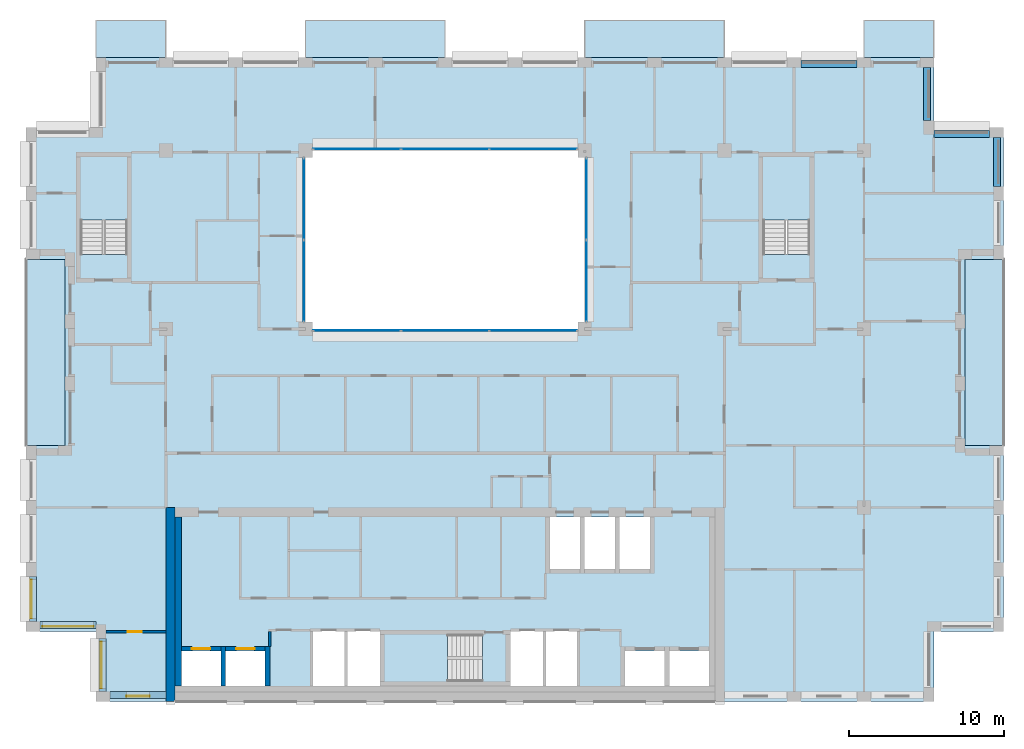
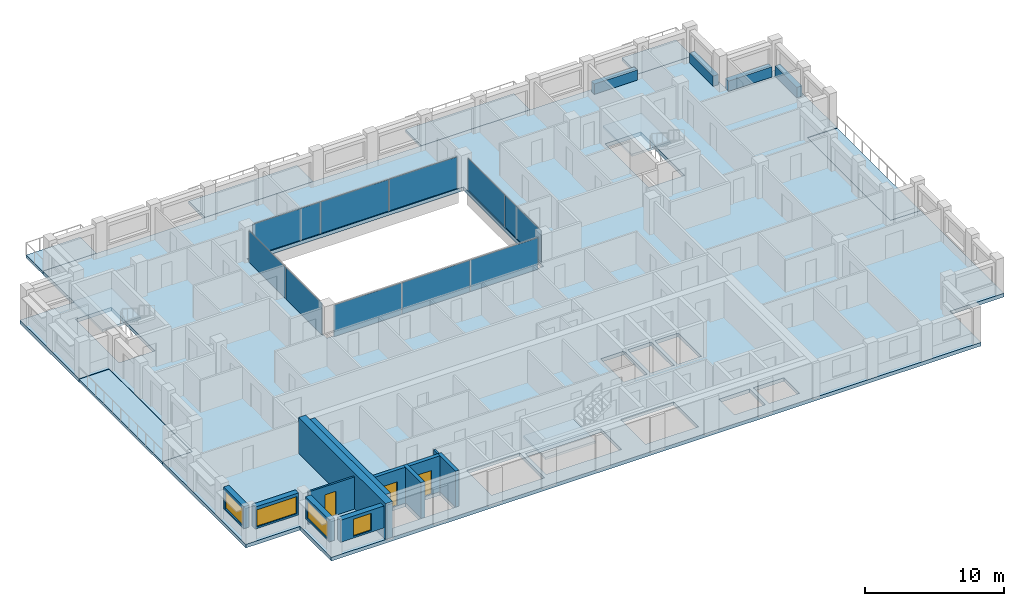
# One storey, part 7 of 15: 12 walls, 10 plates, 10 slabs, 4 beams, 4 windows, 3 doors, 7 openings, 7 elements without a shape of their own.
"""IFC4 building model written with IfcOpenShell, lengths in metres."""

from ifc_helpers import new_model, si_unit, direction, frame, frame_2d, origin, origin_2d, place, context, subcontext, project, spatial, polyline, rectangle, outline, extrude, material, layer, layer_set, material_profile, profile_set, type_object, element, fill, aggregate, save


model = new_model("IFC4")

# Units and contexts
model_context = context("Model", 3, precision=1e-05, world=origin(), true_north=direction((0.0, 1.0)))
body_context = subcontext(model_context, "Body", "Model", "MODEL_VIEW")
ifc_project = project(units=[si_unit("LENGTHUNIT", "METRE"), si_unit("AREAUNIT", "SQUARE_METRE"), si_unit("VOLUMEUNIT", "CUBIC_METRE"), si_unit("PLANEANGLEUNIT", "RADIAN"), si_unit("MASSUNIT", "GRAM", prefix="KILO")], contexts=[model_context])

# Site, building, storey
site_placement = place(None, origin())
site = spatial("IfcSite", under=ifc_project, at=site_placement, CompositionType="ELEMENT")
building_placement = place(site_placement, origin())
building = spatial("IfcBuilding", under=site, at=building_placement, Name="Brigalow Station Residences", CompositionType="ELEMENT")
storey_placement = place(building_placement, frame((0.0, 0.0, 216.89990234375)))
storey = spatial("IfcBuildingStorey", under=building, at=storey_placement, Name="L62", CompositionType="ELEMENT", Elevation=216.89990234375)

# Beams
ifc_material_1 = material(Name="Concrete C50", Category="concrete")
ifc_material_profile = material_profile(ifc_material_1, rectangle(XDim=0.449951171875, YDim=0.89990234375, at=origin_2d()), Name="RC450x900")
ifc_profile_set = profile_set([ifc_material_profile], Name="Concrete C50")
beam_type = type_object("IfcBeamType", Name="SPANDREL BEAM 450x900 C50", PredefinedType="SPANDREL", material=ifc_profile_set)
beam_1_placement = place(storey_placement, frame((71.574951171875, 33.199951171875, 0.4501953125), z_axis=(0.0, 1.0, 0.0), x_axis=(-1.0, 0.0, 0.0)))
element("IfcBeam", 1, at=beam_1_placement, inside=storey, type_object=beam_type, Name="L62/spandrel/W-L62-17", PredefinedType="SPANDREL", context=body_context, shape_type="SweptSolid", body=[
    extrude(rectangle(XDim=0.449951171875, YDim=0.89990234375, at=origin_2d()), origin(), (0.0, 0.0, 1.0), 3.150146484375),
])
beam_2_placement = place(storey_placement, frame((71.10009765625, 36.574951171875, 0.4501953125), z_axis=(-1.0, 0.0, 0.0), x_axis=(0.0, -1.0, 0.0)))
element("IfcBeam", 2, at=beam_2_placement, inside=storey, type_object=beam_type, Name="L62/spandrel/W-L62-18", PredefinedType="SPANDREL", context=body_context, shape_type="SweptSolid", body=[
    extrude(rectangle(XDim=0.449951171875, YDim=0.89990234375, at=origin_2d()), origin(), (0.0, 0.0, 1.0), 3.60009765625),
])
beam_3_placement = place(storey_placement, frame((67.074951171875, 37.449951171875, 0.4501953125), z_axis=(0.0, 1.0, 0.0), x_axis=(-1.0, 0.0, 0.0)))
element("IfcBeam", 3, at=beam_3_placement, inside=storey, type_object=beam_type, Name="L62/spandrel/W-L62-19", PredefinedType="SPANDREL", context=body_context, shape_type="SweptSolid", body=[
    extrude(rectangle(XDim=0.449951171875, YDim=0.89990234375, at=origin_2d()), origin(), (0.0, 0.0, 1.0), 3.400146484375),
])
beam_4_placement = place(storey_placement, frame((62.550048828125, 41.074951171875, 0.4501953125), z_axis=(-1.0, 0.0, 0.0), x_axis=(0.0, -1.0, 0.0)))
element("IfcBeam", 4, at=beam_4_placement, inside=storey, type_object=beam_type, Name="L62/spandrel/W-L62-21", PredefinedType="SPANDREL", context=body_context, shape_type="SweptSolid", body=[
    extrude(rectangle(XDim=0.449951171875, YDim=0.89990234375, at=origin_2d()), origin(), (0.0, 0.0, 1.0), 3.60009765625),
])

# Curtain wall, plates
ifc_material_2 = material(Name="Aluminium", Category="aluminium")
ifc_layer_1 = layer(ifc_material_2, 0.14990234375)
ifc_layer_set_1 = layer_set([ifc_layer_1], Name="ATRIUM FIRE-RATED GLAZING CURTAIN WALL")
curtain_wall_type = type_object("IfcCurtainWallType", Name="ATRIUM FIRE-RATED GLAZING CURTAIN WALL", PredefinedType="NOTDEFINED", material=ifc_layer_set_1)
curtain_wall_1_placement = place(storey_placement, origin())
curtain_wall_1 = element("IfcCurtainWall", 5, at=curtain_wall_1_placement, inside=storey, type_object=curtain_wall_type, Name="L62/cw/atrium-S", PredefinedType="NOTDEFINED")
ifc_material_3 = material(Name="Fire-resisting laminated glazing, FRL -/60/-", Category="glass")
ifc_layer_2 = layer(ifc_material_3, 0.031982421875)
ifc_layer_set_2 = layer_set([ifc_layer_2], Name="ATRIUM FIRE-RATED GLAZING PANEL 32")
plate_type = type_object("IfcPlateType", Name="ATRIUM FIRE-RATED GLAZING PANEL 32", PredefinedType="CURTAIN_PANEL", material=ifc_layer_set_2)
plate_1_placement = place(storey_placement, frame((30.31494140625, 23.89990234375, 0.0), z_axis=(0.0, 0.0, 1.0), x_axis=(1.0, 0.0, 0.0)))
plate_1 = element("IfcPlate", 6, at=plate_1_placement, type_object=plate_type, Name="L62/cw/atrium-S/P00-00", PredefinedType="CURTAIN_PANEL", context=body_context, shape_type="SweptSolid", body=[
    extrude(rectangle(XDim=5.610107421875, YDim=0.031982421875, at=origin_2d()), origin(), (0.0, 0.0, 1.0), 2.77001953125),
])
plate_2_placement = place(storey_placement, frame((36.0, 23.89990234375, 0.0), z_axis=(0.0, 0.0, 1.0), x_axis=(1.0, 0.0, 0.0)))
plate_2 = element("IfcPlate", 7, at=plate_2_placement, type_object=plate_type, Name="L62/cw/atrium-S/P01-00", PredefinedType="CURTAIN_PANEL", context=body_context, shape_type="SweptSolid", body=[
    extrude(rectangle(XDim=5.639892578125, YDim=0.031982421875, at=origin_2d()), origin(), (0.0, 0.0, 1.0), 2.77001953125),
])
plate_3_placement = place(storey_placement, frame((41.68505859375, 23.89990234375, 0.0), z_axis=(0.0, 0.0, 1.0), x_axis=(1.0, 0.0, 0.0)))
plate_3 = element("IfcPlate", 8, at=plate_3_placement, type_object=plate_type, Name="L62/cw/atrium-S/P02-00", PredefinedType="CURTAIN_PANEL", context=body_context, shape_type="SweptSolid", body=[
    extrude(rectangle(XDim=5.610107421875, YDim=0.031982421875, at=origin_2d()), origin(), (0.0, 0.0, 1.0), 2.77001953125),
])
aggregate(curtain_wall_1, [plate_1, plate_2, plate_3])

curtain_wall_2_placement = place(storey_placement, origin())
curtain_wall_2 = element("IfcCurtainWall", 9, at=curtain_wall_2_placement, inside=storey, type_object=curtain_wall_type, Name="L62/cw/atrium-E", PredefinedType="NOTDEFINED")
plate_4_placement = place(storey_placement, frame((45.10009765625, 27.114990234375, 0.0), z_axis=(0.0, 0.0, 1.0), x_axis=(0.0, 1.0, 0.0)))
plate_4 = element("IfcPlate", 10, at=plate_4_placement, type_object=plate_type, Name="L62/cw/atrium-E/P00-00", PredefinedType="CURTAIN_PANEL", context=body_context, shape_type="SweptSolid", body=[
    extrude(rectangle(XDim=5.2099609375, YDim=0.031982421875, at=origin_2d()), origin(), (0.0, 0.0, 1.0), 2.77001953125),
])
plate_5_placement = place(storey_placement, frame((45.10009765625, 32.385009765625, 0.0), z_axis=(0.0, 0.0, 1.0), x_axis=(0.0, 1.0, 0.0)))
plate_5 = element("IfcPlate", 11, at=plate_5_placement, type_object=plate_type, Name="L62/cw/atrium-E/P01-00", PredefinedType="CURTAIN_PANEL", context=body_context, shape_type="SweptSolid", body=[
    extrude(rectangle(XDim=5.2099609375, YDim=0.031982421875, at=origin_2d()), origin(), (0.0, 0.0, 1.0), 2.77001953125),
])
aggregate(curtain_wall_2, [plate_4, plate_5])

curtain_wall_3_placement = place(storey_placement, origin())
curtain_wall_3 = element("IfcCurtainWall", 12, at=curtain_wall_3_placement, inside=storey, type_object=curtain_wall_type, Name="L62/cw/atrium-N", PredefinedType="NOTDEFINED")
plate_6_placement = place(storey_placement, frame((41.68505859375, 35.60009765625, 0.0), z_axis=(0.0, 0.0, 1.0), x_axis=(-1.0, 0.0, 0.0)))
plate_6 = element("IfcPlate", 13, at=plate_6_placement, type_object=plate_type, Name="L62/cw/atrium-N/P00-00", PredefinedType="CURTAIN_PANEL", context=body_context, shape_type="SweptSolid", body=[
    extrude(rectangle(XDim=5.610107421875, YDim=0.031982421875, at=origin_2d()), origin(), (0.0, 0.0, 1.0), 2.77001953125),
])
plate_7_placement = place(storey_placement, frame((36.0, 35.60009765625, 0.0), z_axis=(0.0, 0.0, 1.0), x_axis=(-1.0, 0.0, 0.0)))
plate_7 = element("IfcPlate", 14, at=plate_7_placement, type_object=plate_type, Name="L62/cw/atrium-N/P01-00", PredefinedType="CURTAIN_PANEL", context=body_context, shape_type="SweptSolid", body=[
    extrude(rectangle(XDim=5.639892578125, YDim=0.031982421875, at=origin_2d()), origin(), (0.0, 0.0, 1.0), 2.77001953125),
])
plate_8_placement = place(storey_placement, frame((30.31494140625, 35.60009765625, 0.0), z_axis=(0.0, 0.0, 1.0), x_axis=(-1.0, 0.0, 0.0)))
plate_8 = element("IfcPlate", 15, at=plate_8_placement, type_object=plate_type, Name="L62/cw/atrium-N/P02-00", PredefinedType="CURTAIN_PANEL", context=body_context, shape_type="SweptSolid", body=[
    extrude(rectangle(XDim=5.610107421875, YDim=0.031982421875, at=origin_2d()), origin(), (0.0, 0.0, 1.0), 2.77001953125),
])
aggregate(curtain_wall_3, [plate_6, plate_7, plate_8])

curtain_wall_4_placement = place(storey_placement, origin())
curtain_wall_4 = element("IfcCurtainWall", 16, at=curtain_wall_4_placement, inside=storey, type_object=curtain_wall_type, Name="L62/cw/atrium-W", PredefinedType="NOTDEFINED")
plate_9_placement = place(storey_placement, frame((26.89990234375, 32.385009765625, 0.0), z_axis=(0.0, 0.0, 1.0), x_axis=(0.0, -1.0, 0.0)))
plate_9 = element("IfcPlate", 17, at=plate_9_placement, type_object=plate_type, Name="L62/cw/atrium-W/P00-00", PredefinedType="CURTAIN_PANEL", context=body_context, shape_type="SweptSolid", body=[
    extrude(rectangle(XDim=5.2099609375, YDim=0.031982421875, at=origin_2d()), origin(), (0.0, 0.0, 1.0), 2.77001953125),
])
plate_10_placement = place(storey_placement, frame((26.89990234375, 27.114990234375, 0.0), z_axis=(0.0, 0.0, 1.0), x_axis=(0.0, -1.0, 0.0)))
plate_10 = element("IfcPlate", 18, at=plate_10_placement, type_object=plate_type, Name="L62/cw/atrium-W/P01-00", PredefinedType="CURTAIN_PANEL", context=body_context, shape_type="SweptSolid", body=[
    extrude(rectangle(XDim=5.2099609375, YDim=0.031982421875, at=origin_2d()), origin(), (0.0, 0.0, 1.0), 2.77001953125),
])
aggregate(curtain_wall_4, [plate_9, plate_10])

# Slabs
ifc_material_4 = material(Name="Concrete C50 precast", Category="concrete")
ifc_layer_3 = layer(ifc_material_4, 0.25)
ifc_layer_set_3 = layer_set([ifc_layer_3], Name="BALCONY SLAB 250")
slab_type_1 = type_object("IfcSlabType", Name="BALCONY SLAB 250", PredefinedType="USERDEFINED", material=ifc_layer_set_3)
slab_1_placement = place(storey_placement, frame((0.0, 0.0, -0.289794921875)))
element("IfcSlab", 19, at=slab_1_placement, inside=storey, type_object=slab_type_1, Name="L62/balcony/1", ObjectType="BALCONY", PredefinedType="USERDEFINED", context=body_context, shape_type="SweptSolid", body=[
    extrude(outline(polyline([(69.5, 16.5), (72.0, 16.5), (72.0, 28.5), (69.5, 28.5), (69.5, 16.5)])), origin(), (0.0, 0.0, 1.0), 0.25),
])
slab_2_placement = place(storey_placement, frame((0.0, 0.0, -0.289794921875)))
element("IfcSlab", 20, at=slab_2_placement, inside=storey, type_object=slab_type_1, Name="L62/balcony/2", ObjectType="BALCONY", PredefinedType="USERDEFINED", context=body_context, shape_type="SweptSolid", body=[
    extrude(outline(polyline([(67.5, 41.5), (67.5, 43.89990234375), (63.0, 43.89990234375), (63.0, 41.5), (67.5, 41.5)])), origin(), (0.0, 0.0, 1.0), 0.25),
])
slab_3_placement = place(storey_placement, frame((0.0, 0.0, -0.289794921875)))
element("IfcSlab", 21, at=slab_3_placement, inside=storey, type_object=slab_type_1, Name="L62/balcony/3", ObjectType="BALCONY", PredefinedType="USERDEFINED", context=body_context, shape_type="SweptSolid", body=[
    extrude(outline(polyline([(54.0, 41.5), (54.0, 43.89990234375), (45.0, 43.89990234375), (45.0, 41.5), (54.0, 41.5)])), origin(), (0.0, 0.0, 1.0), 0.25),
])
slab_4_placement = place(storey_placement, frame((0.0, 0.0, -0.289794921875)))
element("IfcSlab", 22, at=slab_4_placement, inside=storey, type_object=slab_type_1, Name="L62/balcony/4", ObjectType="BALCONY", PredefinedType="USERDEFINED", context=body_context, shape_type="SweptSolid", body=[
    extrude(outline(polyline([(36.0, 41.5), (36.0, 43.89990234375), (27.0, 43.89990234375), (27.0, 41.5), (36.0, 41.5)])), origin(), (0.0, 0.0, 1.0), 0.25),
])
slab_5_placement = place(storey_placement, frame((0.0, 0.0, -0.289794921875)))
element("IfcSlab", 23, at=slab_5_placement, inside=storey, type_object=slab_type_1, Name="L62/balcony/5", ObjectType="BALCONY", PredefinedType="USERDEFINED", context=body_context, shape_type="SweptSolid", body=[
    extrude(outline(polyline([(18.0, 41.5), (18.0, 43.89990234375), (13.5, 43.89990234375), (13.5, 41.5), (18.0, 41.5)])), origin(), (0.0, 0.0, 1.0), 0.25),
])
slab_6_placement = place(storey_placement, frame((0.0, 0.0, -0.289794921875)))
element("IfcSlab", 24, at=slab_6_placement, inside=storey, type_object=slab_type_1, Name="L62/balcony/6", ObjectType="BALCONY", PredefinedType="USERDEFINED", context=body_context, shape_type="SweptSolid", body=[
    extrude(outline(polyline([(11.5, 28.5), (9.0, 28.5), (9.0, 16.5), (11.5, 16.5), (11.5, 28.5)])), origin(), (0.0, 0.0, 1.0), 0.25),
])
ifc_material_5 = material(Name="Concrete C50", Category="concrete")
ifc_layer_4 = layer(ifc_material_5, 0.320068359375)
ifc_layer_set_4 = layer_set([ifc_layer_4], Name="POST-TENSIONED FLAT PLATE 320 C50")
slab_type_2 = type_object("IfcSlabType", Name="POST-TENSIONED FLAT PLATE 320 C50", PredefinedType="FLOOR", material=ifc_layer_set_4)
slab_7_placement = place(storey_placement, frame((0.0, 0.0, -0.31982421875)))
element("IfcSlab", 25, at=slab_7_placement, inside=storey, type_object=slab_type_2, Name="FLOOR SLAB L62", PredefinedType="FLOOR", context=body_context, shape_type="SweptSolid", body=[
    extrude(outline(polyline([(13.5, 0.0), (67.5, 0.0), (67.5, 4.5), (72.0, 4.5), (72.0, 16.5), (69.5, 16.5), (69.5, 28.5), (72.0, 28.5), (72.0, 37.0), (67.5, 37.0), (67.5, 41.5), (13.5, 41.5), (13.5, 37.0), (9.0, 37.0), (9.0, 28.5), (11.5, 28.5), (11.5, 16.5), (9.0, 16.5), (9.0, 4.5), (13.5, 4.5), (13.5, 0.0)]), holes=[polyline([(12.5048828125, 35.094970703125), (15.4951171875, 35.094970703125), (15.4951171875, 28.804931640625), (12.5048828125, 28.804931640625), (12.5048828125, 35.094970703125)]), polyline([(19.0, 1.0), (19.0, 3.25), (21.550048828125, 3.25), (21.550048828125, 1.0), (19.0, 1.0)]), polyline([(21.85009765625, 3.25), (24.39990234375, 3.25), (24.39990234375, 1.0), (21.85009765625, 1.0), (21.85009765625, 3.25)]), polyline([(27.0, 35.5), (45.0, 35.5), (45.0, 24.0), (27.0, 24.0), (27.0, 35.5)]), polyline([(29.60009765625, 4.60009765625), (31.800048828125, 4.60009765625), (31.800048828125, 1.0), (29.60009765625, 1.0), (27.39990234375, 1.0), (27.39990234375, 4.60009765625), (29.60009765625, 4.60009765625)]), polyline([(32.10498046875, 4.294921875), (38.39501953125, 4.294921875), (38.39501953125, 1.304931640625), (32.10498046875, 1.304931640625), (32.10498046875, 4.294921875)]), polyline([(40.199951171875, 4.60009765625), (42.39990234375, 4.60009765625), (44.60009765625, 4.60009765625), (44.60009765625, 1.0), (42.39990234375, 1.0), (40.199951171875, 1.0), (40.199951171875, 4.60009765625)]), polyline([(42.75, 11.89990234375), (44.699951171875, 11.89990234375), (44.699951171875, 8.550048828125), (42.75, 8.550048828125), (42.75, 11.89990234375)]), polyline([(45.0, 11.89990234375), (46.949951171875, 11.89990234375), (46.949951171875, 8.550048828125), (45.0, 8.550048828125), (45.0, 11.89990234375)]), polyline([(47.25, 11.89990234375), (49.199951171875, 11.89990234375), (49.199951171875, 8.550048828125), (47.25, 8.550048828125), (47.25, 11.89990234375)]), polyline([(47.60009765625, 3.25), (50.14990234375, 3.25), (50.14990234375, 1.0), (47.60009765625, 1.0), (47.60009765625, 3.25)]), polyline([(50.449951171875, 3.25), (53.0, 3.25), (53.0, 1.0), (50.449951171875, 1.0), (50.449951171875, 3.25)]), polyline([(56.5048828125, 35.094970703125), (59.4951171875, 35.094970703125), (59.4951171875, 28.804931640625), (56.5048828125, 28.804931640625), (56.5048828125, 35.094970703125)])]), origin(), (0.0, 0.0, 1.0), 0.31982421875),
])

# Stair, slab
ifc_material_6 = material(Name="Concrete C50", Category="concrete")
stair_type = type_object("IfcStairType", Name="EXIT STAIR 1400 2 FLIGHT", PredefinedType="HALF_TURN_STAIR", material=ifc_material_6)
stair_1_placement = place(storey_placement, origin())
stair_1 = element("IfcStair", 26, at=stair_1_placement, inside=storey, type_object=stair_type, Name="EXIT STAIR S2 L62", PredefinedType="HALF_TURN_STAIR")
ifc_material_7 = material(Name="Concrete C50", Category="concrete")
ifc_layer_5 = layer(ifc_material_7, 0.199951171875)
ifc_layer_set_5 = layer_set([ifc_layer_5], Name="STAIR LANDING 200")
slab_type_3 = type_object("IfcSlabType", Name="STAIR LANDING 200", PredefinedType="LANDING", material=ifc_layer_set_5)
slab_8_placement = place(storey_placement, frame((0.0, 0.0, 1.375)))
slab_8 = element("IfcSlab", 27, at=slab_8_placement, type_object=slab_type_3, Name="ST-2 landing 1", PredefinedType="LANDING", context=body_context, shape_type="SweptSolid", body=[
    extrude(outline(polyline([(32.0, 1.199951171875), (36.159912109375, 1.199951171875), (36.159912109375, 4.39990234375), (32.0, 4.39990234375), (32.0, 1.199951171875)])), origin(), (0.0, 0.0, 1.0), 0.2001953125),
])
aggregate(stair_1, [slab_8])

stair_2_placement = place(storey_placement, origin())
stair_2 = element("IfcStair", 28, at=stair_2_placement, inside=storey, type_object=stair_type, Name="EXIT STAIR S1 L62", PredefinedType="HALF_TURN_STAIR")
slab_9_placement = place(storey_placement, frame((0.0, 0.0, 1.375)))
slab_9 = element("IfcSlab", 29, at=slab_9_placement, type_object=slab_type_3, Name="ST-1 landing 1", PredefinedType="LANDING", context=body_context, shape_type="SweptSolid", body=[
    extrude(outline(polyline([(12.39990234375, 31.0400390625), (15.60009765625, 31.0400390625), (15.60009765625, 35.199951171875), (12.39990234375, 35.199951171875), (12.39990234375, 31.0400390625)])), origin(), (0.0, 0.0, 1.0), 0.2001953125),
])
aggregate(stair_2, [slab_9])

stair_3_placement = place(storey_placement, origin())
stair_3 = element("IfcStair", 30, at=stair_3_placement, inside=storey, type_object=stair_type, Name="EXIT STAIR S3 L62", PredefinedType="HALF_TURN_STAIR")
slab_10_placement = place(storey_placement, frame((0.0, 0.0, 1.375)))
slab_10 = element("IfcSlab", 31, at=slab_10_placement, type_object=slab_type_3, Name="ST-3 landing 1", PredefinedType="LANDING", context=body_context, shape_type="SweptSolid", body=[
    extrude(outline(polyline([(56.39990234375, 31.0400390625), (59.60009765625, 31.0400390625), (59.60009765625, 35.199951171875), (56.39990234375, 35.199951171875), (56.39990234375, 31.0400390625)])), origin(), (0.0, 0.0, 1.0), 0.2001953125),
])
aggregate(stair_3, [slab_10])

# Wall, opening, window
ifc_material_8 = material(Name="Clay brick masonry", Category="masonry")
ifc_layer_6 = layer(ifc_material_8, 0.449951171875)
ifc_layer_set_6 = layer_set([ifc_layer_6], Name="BRICK INFILL WALL 450")
wall_type_1 = type_object("IfcWallType", Name="BRICK INFILL WALL 450", PredefinedType="SOLIDWALL", material=ifc_layer_set_6)
wall_1_placement = place(storey_placement, frame((14.39990234375, 0.425048828125, 0.900146484375), z_axis=(0.0, 0.0, 1.0), x_axis=(1.0, 0.0, 0.0)))
wall_1 = element("IfcWall", 32, at=wall_1_placement, inside=storey, type_object=wall_type_1, Name="L62/ewall/W-L62-1", PredefinedType="SOLIDWALL", context=body_context, shape_type="SweptSolid", body=[
    extrude(rectangle(XDim=3.60009765625, YDim=0.449951171875, at=frame_2d((1.800048828125, 0.0))), origin(), (0.0, 0.0, 1.0), 1.929931640625),
])
opening_1_placement = place(wall_1_placement, frame((1.050048828125, 0.0, 0.14990234375)))
opening_1 = element("IfcOpeningElement", 33, at=opening_1_placement, cuts=wall_1, Name="Opening WT-1", PredefinedType="OPENING", context=body_context, shape_type="SweptSolid", body=[
    extrude(rectangle(XDim=1.5, YDim=1.5, at=frame_2d((0.75, 0.75))), frame((0.0, 0.23486328125, 0.0), z_axis=(0.0, -1.0, 0.0), x_axis=(1.0, 0.0, 0.0)), (0.0, 0.0, 1.0), 0.469970703125),
])
ifc_material_9 = material(Name="Anodised aluminium frame with double glazing", Category="aluminium")
window_type_1 = type_object("IfcWindowType", Name="WINDOW 1500x1500", PartitioningType="SINGLE_PANEL", PredefinedType="WINDOW", material=ifc_material_9)
window_1_placement = place(opening_1_placement, origin())
window_1 = element("IfcWindow", 34, at=window_1_placement, inside=storey, type_object=window_type_1, Name="L62/window/W-L62-1", OverallHeight=1.5, OverallWidth=1.5, PartitioningType="SINGLE_PANEL", PredefinedType="WINDOW", context=body_context, shape_type="SweptSolid", body=[
    extrude(rectangle(XDim=1.5, YDim=1.5, at=frame_2d((0.75, 0.75))), frame((0.0, -0.06494140625, 0.0), z_axis=(0.0, -1.0, 0.0), x_axis=(1.0, 0.0, 0.0)), (0.0, 0.0, 1.0), 0.06005859375),
])
fill(opening_1, window_1)

wall_2_placement = place(storey_placement, frame((9.425048828125, 8.050048828125, 0.900146484375), z_axis=(0.0, 0.0, 1.0), x_axis=(0.0, -1.0, 0.0)))
wall_2 = element("IfcWall", 35, at=wall_2_placement, inside=storey, type_object=wall_type_1, Name="L62/ewall/W-L62-43", PredefinedType="SOLIDWALL", context=body_context, shape_type="SweptSolid", body=[
    extrude(rectangle(XDim=2.900146484375, YDim=0.449951171875, at=frame_2d((1.4501953125, 0.0))), origin(), (0.0, 0.0, 1.0), 1.929931640625),
])
opening_2_placement = place(wall_2_placement, frame((0.199951171875, 0.0, 0.14990234375)))
opening_2 = element("IfcOpeningElement", 36, at=opening_2_placement, cuts=wall_2, Name="Opening WT-5", PredefinedType="OPENING", context=body_context, shape_type="SweptSolid", body=[
    extrude(rectangle(XDim=2.5, YDim=1.5, at=frame_2d((1.25, 0.75))), frame((0.0, 0.23486328125, 0.0), z_axis=(0.0, -1.0, 0.0), x_axis=(1.0, 0.0, 0.0)), (0.0, 0.0, 1.0), 0.469970703125),
])
ifc_material_10 = material(Name="Anodised aluminium frame with double glazing", Category="aluminium")
window_type_2 = type_object("IfcWindowType", Name="WINDOW 2500x1500", PartitioningType="SINGLE_PANEL", PredefinedType="WINDOW", material=ifc_material_10)
window_2_placement = place(opening_2_placement, origin())
window_2 = element("IfcWindow", 37, at=window_2_placement, inside=storey, type_object=window_type_2, Name="L62/window/W-L62-43", OverallHeight=1.5, OverallWidth=2.5, PartitioningType="SINGLE_PANEL", PredefinedType="WINDOW", context=body_context, shape_type="SweptSolid", body=[
    extrude(rectangle(XDim=2.5, YDim=1.5, at=frame_2d((1.25, 0.75))), frame((0.0, -0.06494140625, 0.0), z_axis=(0.0, -1.0, 0.0), x_axis=(1.0, 0.0, 0.0)), (0.0, 0.0, 1.0), 0.06005859375),
])
fill(opening_2, window_2)

wall_3_placement = place(storey_placement, frame((9.89990234375, 4.925048828125, 0.900146484375), z_axis=(0.0, 0.0, 1.0), x_axis=(1.0, 0.0, 0.0)))
wall_3 = element("IfcWall", 38, at=wall_3_placement, inside=storey, type_object=wall_type_1, Name="L62/ewall/W-L62-44", PredefinedType="SOLIDWALL", context=body_context, shape_type="SweptSolid", body=[
    extrude(rectangle(XDim=3.60009765625, YDim=0.449951171875, at=frame_2d((1.800048828125, 0.0))), origin(), (0.0, 0.0, 1.0), 1.929931640625),
])
opening_3_placement = place(wall_3_placement, frame((0.14990234375, 0.0, 0.14990234375)))
opening_3 = element("IfcOpeningElement", 39, at=opening_3_placement, cuts=wall_3, Name="Opening WT-10", PredefinedType="OPENING", context=body_context, shape_type="SweptSolid", body=[
    extrude(rectangle(XDim=3.300048828125, YDim=1.5, at=frame_2d((1.64990234375, 0.75))), frame((0.0, 0.23486328125, 0.0), z_axis=(0.0, -1.0, 0.0), x_axis=(1.0, 0.0, 0.0)), (0.0, 0.0, 1.0), 0.469970703125),
])
ifc_material_11 = material(Name="Anodised aluminium frame with double glazing", Category="aluminium")
window_type_3 = type_object("IfcWindowType", Name="WINDOW 3300x1500", PartitioningType="SINGLE_PANEL", PredefinedType="WINDOW", material=ifc_material_11)
window_3_placement = place(opening_3_placement, origin())
window_3 = element("IfcWindow", 40, at=window_3_placement, inside=storey, type_object=window_type_3, Name="L62/window/W-L62-44", OverallHeight=1.5, OverallWidth=3.300048828125, PartitioningType="SINGLE_PANEL", PredefinedType="WINDOW", context=body_context, shape_type="SweptSolid", body=[
    extrude(rectangle(XDim=3.300048828125, YDim=1.5, at=frame_2d((1.64990234375, 0.75))), frame((0.0, -0.06494140625, 0.0), z_axis=(0.0, -1.0, 0.0), x_axis=(1.0, 0.0, 0.0)), (0.0, 0.0, 1.0), 0.06005859375),
])
fill(opening_3, window_3)

wall_4_placement = place(storey_placement, frame((13.925048828125, 4.050048828125, 0.900146484375), z_axis=(0.0, 0.0, 1.0), x_axis=(0.0, -1.0, 0.0)))
wall_4 = element("IfcWall", 41, at=wall_4_placement, inside=storey, type_object=wall_type_1, Name="L62/ewall/W-L62-45", PredefinedType="SOLIDWALL", context=body_context, shape_type="SweptSolid", body=[
    extrude(rectangle(XDim=3.400146484375, YDim=0.449951171875, at=frame_2d((1.7001953125, 0.0))), origin(), (0.0, 0.0, 1.0), 1.929931640625),
])
opening_4_placement = place(wall_4_placement, frame((0.199951171875, 0.0, 0.14990234375)))
opening_4 = element("IfcOpeningElement", 42, at=opening_4_placement, cuts=wall_4, Name="Opening WT-2", PredefinedType="OPENING", context=body_context, shape_type="SweptSolid", body=[
    extrude(rectangle(XDim=3.0, YDim=1.5, at=frame_2d((1.5, 0.75))), frame((0.0, 0.23486328125, 0.0), z_axis=(0.0, -1.0, 0.0), x_axis=(1.0, 0.0, 0.0)), (0.0, 0.0, 1.0), 0.469970703125),
])
ifc_material_12 = material(Name="Anodised aluminium frame with double glazing", Category="aluminium")
window_type_4 = type_object("IfcWindowType", Name="WINDOW 3000x1500", PartitioningType="SINGLE_PANEL", PredefinedType="WINDOW", material=ifc_material_12)
window_4_placement = place(opening_4_placement, origin())
window_4 = element("IfcWindow", 43, at=window_4_placement, inside=storey, type_object=window_type_4, Name="L62/window/W-L62-45", OverallHeight=1.5, OverallWidth=3.0, PartitioningType="SINGLE_PANEL", PredefinedType="WINDOW", context=body_context, shape_type="SweptSolid", body=[
    extrude(rectangle(XDim=3.0, YDim=1.5, at=frame_2d((1.5, 0.75))), frame((0.0, -0.06494140625, 0.0), z_axis=(0.0, -1.0, 0.0), x_axis=(1.0, 0.0, 0.0)), (0.0, 0.0, 1.0), 0.06005859375),
])
fill(opening_4, window_4)

# Wall, opening, door
ifc_material_13 = material(Name="Concrete C50", Category="concrete")
ifc_layer_7 = layer(ifc_material_13, 0.300048828125)
ifc_layer_set_7 = layer_set([ifc_layer_7], Name="CORE SHEAR WALL 300 C50")
wall_type_2 = type_object("IfcWallType", Name="CORE SHEAR WALL 300 C50", PredefinedType="SHEAR", material=ifc_layer_set_7)
wall_5_placement = place(storey_placement, frame((19.0, 3.39990234375, 0.0), z_axis=(0.0, 0.0, 1.0), x_axis=(1.0, 0.0, 0.0)))
wall_5 = element("IfcWall", 44, at=wall_5_placement, inside=storey, type_object=wall_type_2, Name="CORE WALL SH-C1-N L62", PredefinedType="SHEAR", context=body_context, shape_type="SweptSolid", body=[
    extrude(rectangle(XDim=2.550048828125, YDim=0.300048828125, at=frame_2d((1.27490234375, 0.0))), origin(), (0.0, 0.0, 1.0), 3.150146484375),
])
opening_5_placement = place(wall_5_placement, frame((0.675048828125, 0.0, 0.0)))
opening_5 = element("IfcOpeningElement", 45, at=opening_5_placement, cuts=wall_5, Name="Opening LD-LB1", PredefinedType="OPENING", context=body_context, shape_type="SweptSolid", body=[
    extrude(rectangle(XDim=1.199951171875, YDim=2.10009765625, at=frame_2d((0.60009765625, 1.050048828125))), frame((0.0, 0.16015625, 0.0), z_axis=(0.0, -1.0, 0.0), x_axis=(1.0, 0.0, 0.0)), (0.0, 0.0, 1.0), 0.320068359375),
])
ifc_material_14 = material(Name="Stainless steel sliding door leaves", Category="steel")
door_type_1 = type_object("IfcDoorType", Name="LIFT LANDING DOOR 1200 x 2100", OperationType="DOUBLE_DOOR_SLIDING", PredefinedType="DOOR", material=ifc_material_14)
door_1_placement = place(opening_5_placement, origin())
door_1 = element("IfcDoor", 46, at=door_1_placement, inside=storey, type_object=door_type_1, Name="LANDING DOOR LB1", OperationType="DOUBLE_DOOR_SLIDING", OverallHeight=2.10009765625, OverallWidth=1.199951171875, PredefinedType="DOOR", context=body_context, shape_type="SweptSolid", body=[
    extrude(rectangle(XDim=1.199951171875, YDim=2.10009765625, at=frame_2d((0.60009765625, 1.050048828125))), frame((0.0, 0.02490234375, 0.0), z_axis=(0.0, -1.0, 0.0), x_axis=(1.0, 0.0, 0.0)), (0.0, 0.0, 1.0), 0.050048828125),
])
fill(opening_5, door_1)

wall_6_placement = place(storey_placement, frame((21.85009765625, 3.39990234375, 0.0), z_axis=(0.0, 0.0, 1.0), x_axis=(1.0, 0.0, 0.0)))
wall_6 = element("IfcWall", 47, at=wall_6_placement, inside=storey, type_object=wall_type_2, Name="CORE WALL SH-C2-N L62", PredefinedType="SHEAR", context=body_context, shape_type="SweptSolid", body=[
    extrude(rectangle(XDim=2.5498046875, YDim=0.300048828125, at=frame_2d((1.27490234375, 0.0))), origin(), (0.0, 0.0, 1.0), 3.150146484375),
])
opening_6_placement = place(wall_6_placement, frame((0.675048828125, 0.0, 0.0)))
opening_6 = element("IfcOpeningElement", 48, at=opening_6_placement, cuts=wall_6, Name="Opening LD-LB2", PredefinedType="OPENING", context=body_context, shape_type="SweptSolid", body=[
    extrude(rectangle(XDim=1.199951171875, YDim=2.10009765625, at=frame_2d((0.60009765625, 1.050048828125))), frame((0.0, 0.16015625, 0.0), z_axis=(0.0, -1.0, 0.0), x_axis=(1.0, 0.0, 0.0)), (0.0, 0.0, 1.0), 0.320068359375),
])
door_2_placement = place(opening_6_placement, origin())
door_2 = element("IfcDoor", 49, at=door_2_placement, inside=storey, type_object=door_type_1, Name="LANDING DOOR LB2", OperationType="DOUBLE_DOOR_SLIDING", OverallHeight=2.10009765625, OverallWidth=1.199951171875, PredefinedType="DOOR", context=body_context, shape_type="SweptSolid", body=[
    extrude(rectangle(XDim=1.199951171875, YDim=2.10009765625, at=frame_2d((0.60009765625, 1.050048828125))), frame((0.0, 0.02490234375, 0.0), z_axis=(0.0, -1.0, 0.0), x_axis=(1.0, 0.0, 0.0)), (0.0, 0.0, 1.0), 0.050048828125),
])
fill(opening_6, door_2)

# Walls
for number, where, z_axis, x_axis, name in (
    (50, (21.699951171875, 1.0, 0.0), (0.0, 0.0, 1.0), (0.0, 1.0, 0.0), "CORE WALL SH-C2-W L62"),
    (51, (24.550048828125, 1.0, 0.0), (0.0, 0.0, 1.0), (0.0, 1.0, 0.0), "CORE WALL SH-C2-E L62"),
):
    element("IfcWall", number, at=place(storey_placement, frame(where, z_axis=z_axis, x_axis=x_axis)), inside=storey, type_object=wall_type_2, Name=name, PredefinedType="SHEAR", context=body_context, shape_type="SweptSolid", body=[
        extrude(rectangle(XDim=2.550048828125, YDim=0.300048828125, at=frame_2d((1.27490234375, 0.0))), origin(), (0.0, 0.0, 1.0), 3.150146484375),
    ])
ifc_material_15 = material(Name="Concrete C50", Category="concrete")
ifc_layer_8 = layer(ifc_material_15, 0.39990234375)
ifc_layer_set_8 = layer_set([ifc_layer_8], Name="CORE SHEAR WALL 400 C50")
wall_type_3 = type_object("IfcWallType", Name="CORE SHEAR WALL 400 C50", PredefinedType="SHEAR", material=ifc_layer_set_8)
wall_7_placement = place(storey_placement, frame((18.800048828125, 1.0, 0.0), z_axis=(0.0, 0.0, 1.0), x_axis=(0.0, 1.0, 0.0)))
element("IfcWall", 52, at=wall_7_placement, inside=storey, type_object=wall_type_3, Name="CORE WALL LIN-W L62", PredefinedType="SHEAR", context=body_context, shape_type="SweptSolid", body=[
    extrude(rectangle(XDim=10.89990234375, YDim=0.39990234375, at=frame_2d((5.449951171875, 0.0))), origin(), (0.0, 0.0, 1.0), 3.150146484375),
])
ifc_material_16 = material(Name="Concrete C50", Category="concrete")
ifc_layer_9 = layer(ifc_material_16, 0.60009765625)
ifc_layer_set_9 = layer_set([ifc_layer_9], Name="CORE SHEAR WALL 600 C50")
wall_type_4 = type_object("IfcWallType", Name="CORE SHEAR WALL 600 C50", PredefinedType="SHEAR", material=ifc_layer_set_9)
wall_8_placement = place(storey_placement, frame((18.300048828125, 0.0, 0.0), z_axis=(0.0, 0.0, 1.0), x_axis=(0.0, 1.0, 0.0)))
element("IfcWall", 53, at=wall_8_placement, inside=storey, type_object=wall_type_4, Name="CORE WALL OUT-W L62", PredefinedType="SHEAR", context=body_context, shape_type="SweptSolid", body=[
    extrude(rectangle(XDim=12.5, YDim=0.60009765625, at=frame_2d((6.25, 0.0))), origin(), (0.0, 0.0, 1.0), 3.150146484375),
])

# Wall, opening, door
ifc_material_17 = material(Name="Plasterboard on steel stud partition", Category="steel")
ifc_layer_10 = layer(ifc_material_17, 0.14990234375)
ifc_layer_set_10 = layer_set([ifc_layer_10], Name="FLAT PARTITION 150")
wall_type_5 = type_object("IfcWallType", Name="FLAT PARTITION 150", PredefinedType="PARTITIONING", material=ifc_layer_set_10)
wall_9_placement = place(storey_placement, frame((14.14990234375, 4.5, 0.0), z_axis=(0.0, 0.0, 1.0), x_axis=(1.0, 0.0, 0.0)))
wall_9 = element("IfcWall", 54, at=wall_9_placement, inside=storey, type_object=wall_type_5, Name="PW-4C12", PredefinedType="PARTITIONING", context=body_context, shape_type="SweptSolid", body=[
    extrude(rectangle(XDim=3.85009765625, YDim=0.14990234375, at=frame_2d((1.925048828125, 0.0))), origin(), (0.0, 0.0, 1.0), 2.830078125),
])
opening_7_placement = place(wall_9_placement, frame((1.39990234375, 0.0, 0.0)))
opening_7 = element("IfcOpeningElement", 55, at=opening_7_placement, cuts=wall_9, Name="Opening D-4C06", PredefinedType="OPENING", context=body_context, shape_type="SweptSolid", body=[
    extrude(rectangle(XDim=0.89990234375, YDim=2.10009765625, at=frame_2d((0.449951171875, 1.050048828125))), frame((0.0, 0.0849609375, 0.0), z_axis=(0.0, -1.0, 0.0), x_axis=(1.0, 0.0, 0.0)), (0.0, 0.0, 1.0), 0.169921875),
])
ifc_material_18 = material(Name="Solid-core timber door leaf", Category="wood")
door_type_2 = type_object("IfcDoorType", Name="INTERNAL DOOR 900 x 2100", OperationType="SINGLE_SWING_LEFT", PredefinedType="DOOR", material=ifc_material_18)
door_3_placement = place(opening_7_placement, frame((0.89990234375, 0.0, 0.0), z_axis=(0.0, 0.0, 1.0), x_axis=(-1.0, 0.0, 0.0)))
door_3 = element("IfcDoor", 56, at=door_3_placement, inside=storey, type_object=door_type_2, Name="D-4C06", OperationType="SINGLE_SWING_RIGHT", OverallHeight=2.10009765625, OverallWidth=0.89990234375, PredefinedType="DOOR", context=body_context, shape_type="SweptSolid", body=[
    extrude(rectangle(XDim=0.89990234375, YDim=2.10009765625, at=frame_2d((0.449951171875, 1.050048828125))), frame((0.0, 0.02490234375, 0.0), z_axis=(0.0, -1.0, 0.0), x_axis=(1.0, 0.0, 0.0)), (0.0, 0.0, 1.0), 0.050048828125),
])
fill(opening_7, door_3)

# Wall
ifc_material_19 = material(Name="Plasterboard on steel studs", Category="steel")
ifc_layer_11 = layer(ifc_material_19, 0.14990234375)
ifc_layer_set_11 = layer_set([ifc_layer_11], Name="SERVICE ROOM PARTITION 150")
wall_type_6 = type_object("IfcWallType", Name="SERVICE ROOM PARTITION 150", PredefinedType="PARTITIONING", material=ifc_layer_set_11)
wall_10_placement = place(storey_placement, frame((24.699951171875, 3.550048828125, 0.0), z_axis=(0.0, 0.0, 1.0), x_axis=(0.0, 1.0, 0.0)))
element("IfcWall", 57, at=wall_10_placement, inside=storey, type_object=wall_type_6, Name="PW-5157", PredefinedType="PARTITIONING", context=body_context, shape_type="SweptSolid", body=[
    extrude(rectangle(XDim=0.974853515625, YDim=0.14990234375, at=frame_2d((0.4873046875, 0.0))), origin(), (0.0, 0.0, 1.0), 2.830078125),
])

save(model, "model.ifc")
